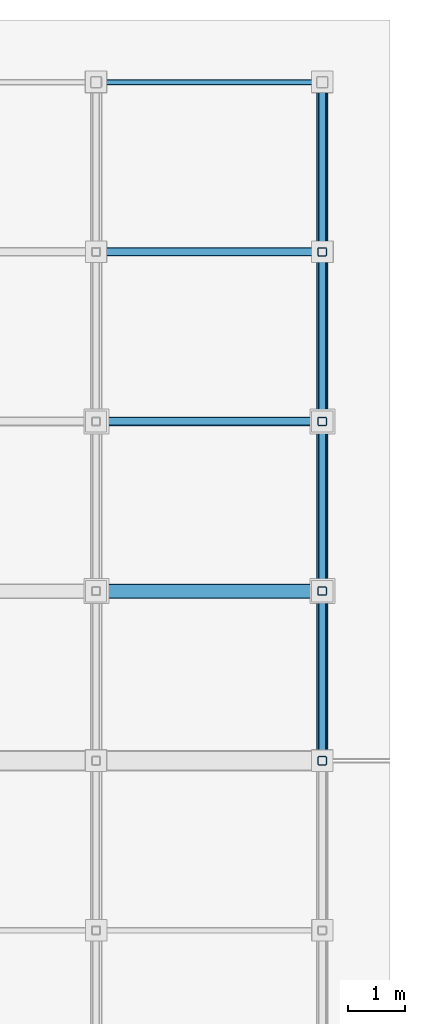
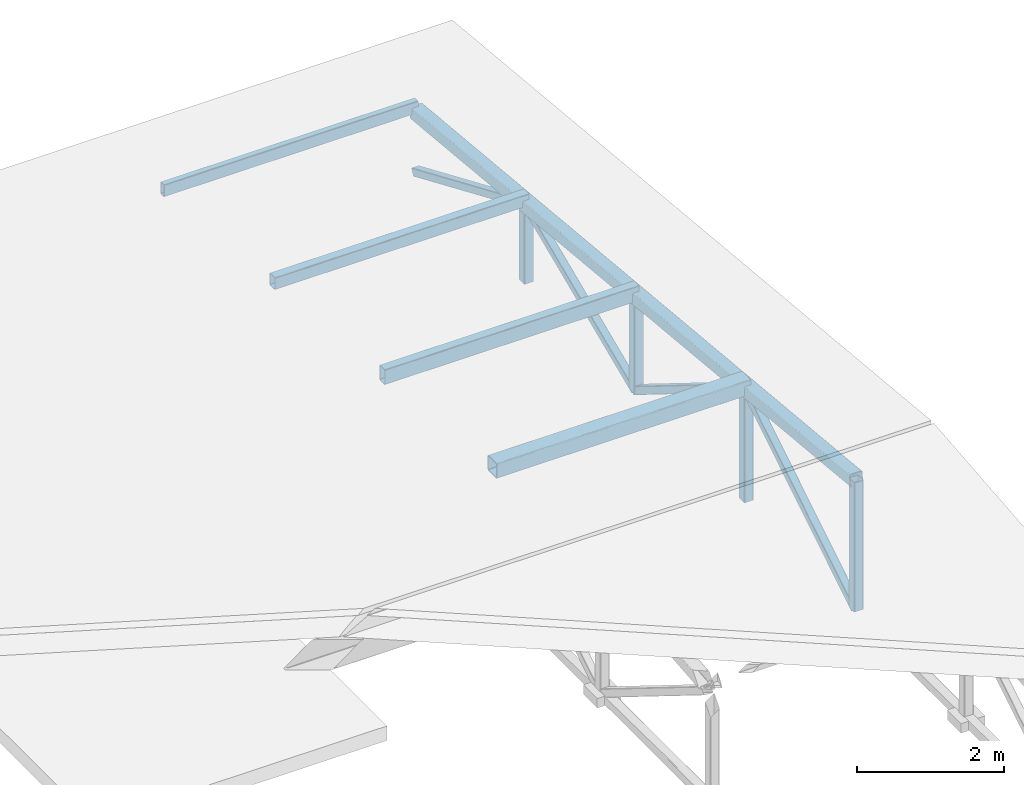
# One storey, part 16 of 25: 12 members, 1 beam.
"""IFC4 building model written with IfcOpenShell, lengths in metres."""

import ifcopenshell
import ifcopenshell.guid

model = None  # the IFC model being written
_history = None  # IfcOwnerHistory: only IFC2X3 demands one
_inside = {}  # id of a spatial element -> (the spatial element, [elements in it])
_under = {}  # id of a project, library or spatial element -> (it, [spatial elements below it])
_declared = {}  # id of a project -> (the project, [libraries it declares])
_typed = {}  # id of a type object -> (the type object, [elements of that type])
_made_of = {}  # id of a material, layer set ... -> (it, [elements and type objects made of it])


def new_model(schema):
    """Start an empty IFC model of exactly this schema.

    Asked for "IFC4X3", IfcOpenShell would pick the latest addendum, in which some entities
    have other attributes; the version numbers below select the first issue.
    IFC2X3 requires an IfcOwnerHistory on every rooted entity: one is made here for all.
    """
    global model, _history
    if schema == "IFC4X3":
        model = ifcopenshell.file(schema_version=(4, 3, 0, 0))
    else:
        model = ifcopenshell.file(schema=schema)
    _inside.clear()
    _under.clear()
    _declared.clear()
    _typed.clear()
    _made_of.clear()
    _history = None
    if model.schema == "IFC2X3":
        org = make("IfcOrganization", Name="unknown")
        user = make(
            "IfcPersonAndOrganization",
            ThePerson=make("IfcPerson", FamilyName="unknown"),
            TheOrganization=org,
        )
        app = make(
            "IfcApplication",
            ApplicationDeveloper=org,
            Version="unknown",
            ApplicationFullName="unknown",
            ApplicationIdentifier="unknown",
        )
        _history = make(
            "IfcOwnerHistory",
            OwningUser=user,
            OwningApplication=app,
            ChangeAction="ADDED",
            CreationDate=0,
        )
    return model


def make(cls, **values):
    """One entity of the class cls with the attributes given. An attribute that is None is left unset."""
    return model.create_entity(
        cls, **{name: value for name, value in values.items() if value is not None}
    )


def rooted(cls, **values):
    """An entity with a GlobalId (a new one), such as an element, a storey or a relation."""
    return make(cls, GlobalId=ifcopenshell.guid.new(), OwnerHistory=_history, **values)


def si_unit(unit_type, name, prefix=None):
    """IfcSIUnit, for example si_unit("LENGTHUNIT", "METRE", prefix="MILLI")."""
    return make("IfcSIUnit", UnitType=unit_type, Prefix=prefix, Name=name)


def assignment(units):
    """IfcUnitAssignment: the units of a project."""
    return None if units is None else make("IfcUnitAssignment", Units=units)


def point(xyz):
    """IfcCartesianPoint."""
    return None if xyz is None else make("IfcCartesianPoint", Coordinates=xyz)


def direction(xyz):
    """IfcDirection."""
    return None if xyz is None else make("IfcDirection", DirectionRatios=xyz)


def frame(location, z_axis=None, x_axis=None):
    """IfcAxis2Placement3D, a coordinate frame: its origin and axes. An axis left out is left unset."""
    return make(
        "IfcAxis2Placement3D",
        Location=point(location),
        Axis=direction(z_axis),
        RefDirection=direction(x_axis),
    )


def frame_2d(location, x_axis=None):
    """IfcAxis2Placement2D, a coordinate frame in the plane: its origin and x axis."""
    return make(
        "IfcAxis2Placement2D", Location=point(location), RefDirection=direction(x_axis)
    )


def origin():
    """The frame at (0, 0, 0) with its axes left unset."""
    return frame((0.0, 0.0, 0.0))


def origin_2d():
    """The frame at (0, 0) in the plane with its x axis left unset."""
    return frame_2d((0.0, 0.0))


def place(relative_to, where):
    """IfcLocalPlacement: puts the frame where relative to a parent placement (None: the world)."""
    return make(
        "IfcLocalPlacement", PlacementRelTo=relative_to, RelativePlacement=where
    )


def context(
    kind, dimensions, precision=None, world=None, true_north=None, identifier=None
):
    """IfcGeometricRepresentationContext, for example the 3D "Model" context."""
    return make(
        "IfcGeometricRepresentationContext",
        ContextIdentifier=identifier,
        ContextType=kind,
        CoordinateSpaceDimension=dimensions,
        Precision=precision,
        WorldCoordinateSystem=world,
        TrueNorth=true_north,
    )


def subcontext(parent, identifier, kind, view, scale=None):
    """IfcGeometricRepresentationSubContext, for example "Body" below "Model"."""
    return make(
        "IfcGeometricRepresentationSubContext",
        ContextIdentifier=identifier,
        ContextType=kind,
        ParentContext=parent,
        TargetScale=scale,
        TargetView=view,
    )


def project(units=None, contexts=None):
    """IfcProject with its units and contexts."""
    return rooted(
        "IfcProject",
        Name="project",
        RepresentationContexts=contexts,
        UnitsInContext=assignment(units),
    )


def spatial(cls, under=None, at=None, **own):
    """A site, building, storey or space (cls), placed at a placement, below another one or the project."""
    s = rooted(cls, ObjectPlacement=at, **own)
    if under is not None:
        _under.setdefault(under.id(), (under, []))[1].append(s)
    return s


def profile(cls, at=None, kind="AREA", **sizes):
    """A parametric profile (cls). Its sizes go by their IFC names, for example OverallWidth=200.0."""
    return make(cls, ProfileType=kind, Position=at, **sizes)


def hollow_rectangle(**sizes):
    """IfcRectangleHollowProfileDef."""
    return profile("IfcRectangleHollowProfileDef", **sizes)


def extrude(swept, where, along, depth):
    """IfcExtrudedAreaSolid: the profile swept, set in the frame where, extruded along a direction by depth."""
    return make(
        "IfcExtrudedAreaSolid",
        SweptArea=swept,
        Position=where,
        ExtrudedDirection=direction(along),
        Depth=depth,
    )


def shape(context_of_items, identifier, shape_type, items):
    """IfcShapeRepresentation: the items that make up one representation, for example the "Body"."""
    return make(
        "IfcShapeRepresentation",
        ContextOfItems=context_of_items,
        RepresentationIdentifier=identifier,
        RepresentationType=shape_type,
        Items=items,
    )


def material(Name=None, Category=None):
    """IfcMaterial."""
    return make("IfcMaterial", Name=Name, Category=Category)


def material_profile(
    of_material, cross_section, Name=None, Category=None, Priority=None
):
    """IfcMaterialProfile: a cross section and its material."""
    return make(
        "IfcMaterialProfile",
        Name=Name,
        Material=of_material,
        Profile=cross_section,
        Priority=Priority,
        Category=Category,
    )


def profile_set(profiles, Name=None, composite=None):
    """IfcMaterialProfileSet."""
    return make(
        "IfcMaterialProfileSet",
        Name=Name,
        MaterialProfiles=profiles,
        CompositeProfile=composite,
    )


def made_of(thing, what):
    """Note that an element or type object is made of a material, layer set ...; save() writes the relation."""
    if what is not None:
        _made_of.setdefault(what.id(), (what, []))[1].append(thing)
    return thing


def type_object(cls, material=None, **own):
    """A type object (cls), such as IfcWallType, which elements share."""
    return made_of(rooted(cls, **own), material)


def element(
    cls,
    number,
    at=None,
    inside=None,
    cuts=None,
    type_object=None,
    material=None,
    context=None,
    identifier="Body",
    shape_type=None,
    held_by="IfcProductDefinitionShape",
    body=None,
    shapes=None,
    **own,
):
    """One element of the class cls, such as IfcWall. Its Tag is "e" and its number.

    at: its placement. inside: the storey or other place that contains it. cuts: it is an
    opening in that element (IfcRelVoidsElement). A single representation is given by context,
    identifier, shape_type and body (its items); several are given by shapes. held_by: the class
    of the entity that holds the representations. save() writes the other relations.
    """
    e = rooted(cls, Tag="e%d" % number, ObjectPlacement=at, **own)
    if body is not None:
        shapes = [shape(context, identifier, shape_type, body)]
    if shapes is not None:
        e.Representation = make(held_by, Representations=shapes)
    if inside is not None:
        _inside.setdefault(inside.id(), (inside, []))[1].append(e)
    if cuts is not None:
        rooted(
            "IfcRelVoidsElement", RelatingBuildingElement=cuts, RelatedOpeningElement=e
        )
    if type_object is not None:
        _typed.setdefault(type_object.id(), (type_object, []))[1].append(e)
    return made_of(e, material)


def aggregate(whole, parts):
    """IfcRelAggregates: a whole, such as a stair, and the parts it consists of."""
    return rooted("IfcRelAggregates", RelatingObject=whole, RelatedObjects=parts)


def save(model, path):
    """Write the relations noted so far, then the file.

    IfcRelAggregates (storeys below a building ...), IfcRelContainedInSpatialStructure (elements
    in a storey), IfcRelDefinesByType, IfcRelAssociatesMaterial and IfcRelDeclares: one each for
    every whole, place, type object, material and project.
    """
    for whole, parts in _under.values():
        aggregate(whole, parts)
    for where, things in _inside.values():
        rooted(
            "IfcRelContainedInSpatialStructure",
            RelatedElements=things,
            RelatingStructure=where,
        )
    for kind, things in _typed.values():
        rooted("IfcRelDefinesByType", RelatedObjects=things, RelatingType=kind)
    for what, things in _made_of.values():
        rooted("IfcRelAssociatesMaterial", RelatedObjects=things, RelatingMaterial=what)
    for by, libraries in _declared.values():
        rooted("IfcRelDeclares", RelatingContext=by, RelatedDefinitions=libraries)
    model.write(path)


model = new_model("IFC4")

# Units and contexts
model_context = context("Model", 3, precision=1e-05, world=origin(), true_north=direction((0.0, 1.0)))
body_context = subcontext(model_context, "Body", "Model", "MODEL_VIEW")
ifc_project = project(units=[si_unit("LENGTHUNIT", "METRE"), si_unit("AREAUNIT", "SQUARE_METRE"), si_unit("VOLUMEUNIT", "CUBIC_METRE"), si_unit("PLANEANGLEUNIT", "RADIAN"), si_unit("MASSUNIT", "GRAM", prefix="KILO"), si_unit("THERMODYNAMICTEMPERATUREUNIT", "KELVIN"), si_unit("POWERUNIT", "WATT")], contexts=[model_context])

# Site, building, storey
site_placement = place(None, origin())
site = spatial("IfcSite", under=ifc_project, at=site_placement, CompositionType="ELEMENT")
building_placement = place(site_placement, origin())
building = spatial("IfcBuilding", under=site, at=building_placement, Name="Zelmaris Science Centre", CompositionType="ELEMENT")
storey_placement = place(building_placement, frame((0.0, 0.0, 30.0)))
storey = spatial("IfcBuildingStorey", under=building, at=storey_placement, Name="RF", CompositionType="ELEMENT", Elevation=30.0)

# Beam
ifc_material = material(Name="Steel ASTM A500 Grade C", Category="steel")
ifc_material_profile_1 = material_profile(ifc_material, hollow_rectangle(XDim=0.203125, YDim=0.203125, WallThickness=0.01171875, InnerFilletRadius=0.01171875, OuterFilletRadius=0.023681640625, at=origin_2d()), Name="HSS203X203X13")
ifc_profile_set_1 = profile_set([ifc_material_profile_1], Name="Steel ASTM A500 Grade C")
beam_type = type_object("IfcBeamType", Name="Beam G-20 HSS203X203X13", PredefinedType="BEAM", material=ifc_profile_set_1)
beam_placement = place(storey_placement, frame((76.0, 76.0, 2.497314453125), z_axis=(0.0, 0.995440145093, -0.095388246325), x_axis=(-1.0, 0.0, 0.0)))
element("IfcBeam", 1, at=beam_placement, inside=storey, type_object=beam_type, Name="RF-V5 Roof truss 4 north top chord", PredefinedType="BEAM", context=body_context, shape_type="SweptSolid", body=[
    extrude(hollow_rectangle(XDim=0.203125, YDim=0.203125, WallThickness=0.01171875, InnerFilletRadius=0.01171875, OuterFilletRadius=0.023681640625, at=origin_2d()), origin(), (0.0, 0.0, 1.0), 12.054931640625),
])

# Members
ifc_material_profile_2 = material_profile(ifc_material, hollow_rectangle(XDim=0.15234375, YDim=0.25390625, WallThickness=0.0087890625, InnerFilletRadius=0.0087890625, OuterFilletRadius=0.017822265625, at=origin_2d()), Name="HSS254X152X10")
ifc_profile_set_2 = profile_set([ifc_material_profile_2], Name="Steel ASTM A500 Grade C")
member_type_1 = type_object("IfcMemberType", Name="Roof Purlin PR-01 HSS254X152X10", PredefinedType="PURLIN", material=ifc_profile_set_2)
member_1_placement = place(storey_placement, frame((72.0, 82.0, 1.991943359375), z_axis=(1.0, 0.0, 0.0), x_axis=(0.0, 1.0, 0.0)))
element("IfcMember", 2, at=member_1_placement, inside=storey, type_object=member_type_1, Name="RF-V5 Roof purlin 25", PredefinedType="PURLIN", context=body_context, shape_type="SweptSolid", body=[
    extrude(hollow_rectangle(XDim=0.15234375, YDim=0.25390625, WallThickness=0.0087890625, InnerFilletRadius=0.0087890625, OuterFilletRadius=0.017822265625, at=origin_2d()), origin(), (0.0, 0.0, 1.0), 4.0),
])
ifc_material_profile_3 = material_profile(ifc_material, hollow_rectangle(XDim=0.15234375, YDim=0.203125, WallThickness=0.0087890625, InnerFilletRadius=0.0087890625, OuterFilletRadius=0.017822265625, at=origin_2d()), Name="HSS203X152X10")
ifc_profile_set_3 = profile_set([ifc_material_profile_3], Name="Steel ASTM A500 Grade C")
member_type_2 = type_object("IfcMemberType", Name="Roof Purlin PR-02 HSS203X152X10", PredefinedType="PURLIN", material=ifc_profile_set_3)
member_2_placement = place(storey_placement, frame((72.0, 85.0, 1.729736328125), z_axis=(1.0, 0.0, 0.0), x_axis=(0.0, 1.0, 0.0)))
element("IfcMember", 3, at=member_2_placement, inside=storey, type_object=member_type_2, Name="RF-V5 Roof purlin 26", PredefinedType="PURLIN", context=body_context, shape_type="SweptSolid", body=[
    extrude(hollow_rectangle(XDim=0.15234375, YDim=0.203125, WallThickness=0.0087890625, InnerFilletRadius=0.0087890625, OuterFilletRadius=0.017822265625, at=origin_2d()), origin(), (0.0, 0.0, 1.0), 4.0),
])
ifc_material_profile_4 = material_profile(ifc_material, hollow_rectangle(XDim=0.1015625, YDim=0.203125, WallThickness=0.00732421875, InnerFilletRadius=0.00732421875, OuterFilletRadius=0.014892578125, at=origin_2d()), Name="HSS203X102X8")
ifc_profile_set_4 = profile_set([ifc_material_profile_4], Name="Steel ASTM A500 Grade C")
member_type_3 = type_object("IfcMemberType", Name="Roof Purlin PR-03 HSS203X102X8", PredefinedType="PURLIN", material=ifc_profile_set_4)
member_3_placement = place(storey_placement, frame((72.0, 88.0, 1.4423828125), z_axis=(1.0, 0.0, 0.0), x_axis=(0.0, 1.0, 0.0)))
element("IfcMember", 4, at=member_3_placement, inside=storey, type_object=member_type_3, Name="RF-V5 Roof purlin 27", PredefinedType="PURLIN", context=body_context, shape_type="SweptSolid", body=[
    extrude(hollow_rectangle(XDim=0.1015625, YDim=0.203125, WallThickness=0.00732421875, InnerFilletRadius=0.00732421875, OuterFilletRadius=0.014892578125, at=origin_2d()), origin(), (0.0, 0.0, 1.0), 4.0),
])
ifc_material_profile_5 = material_profile(ifc_material, hollow_rectangle(XDim=0.25390625, YDim=0.25390625, WallThickness=0.01171875, InnerFilletRadius=0.01171875, OuterFilletRadius=0.023681640625, at=origin_2d()), Name="HSS254X254X13")
ifc_profile_set_5 = profile_set([ifc_material_profile_5], Name="Steel ASTM A500 Grade C")
member_type_4 = type_object("IfcMemberType", Name="Roof Purlin PR-09 HSS254X254X13", PredefinedType="PURLIN", material=ifc_profile_set_5)
member_4_placement = place(storey_placement, frame((72.0, 79.0, 2.279296875), z_axis=(1.0, 0.0, 0.0), x_axis=(0.0, 1.0, 0.0)))
element("IfcMember", 5, at=member_4_placement, inside=storey, type_object=member_type_4, Name="RF-V5 Roof purlin 24", PredefinedType="PURLIN", context=body_context, shape_type="SweptSolid", body=[
    extrude(hollow_rectangle(XDim=0.25390625, YDim=0.25390625, WallThickness=0.01171875, InnerFilletRadius=0.01171875, OuterFilletRadius=0.023681640625, at=origin_2d()), origin(), (0.0, 0.0, 1.0), 4.0),
])
ifc_material_profile_6 = material_profile(ifc_material, hollow_rectangle(XDim=0.15234375, YDim=0.15234375, WallThickness=0.0087890625, InnerFilletRadius=0.0087890625, OuterFilletRadius=0.017822265625, at=origin_2d()), Name="HSS152X152X10")
ifc_profile_set_6 = profile_set([ifc_material_profile_6], Name="Steel ASTM A500 Grade C")
member_type_5 = type_object("IfcMemberType", Name="Structural Brace BR-03 HSS152X152X10", PredefinedType="BRACE", material=ifc_profile_set_6)
member_5_placement = place(storey_placement, frame((76.0, 76.0, 0.347412109375), z_axis=(0.0, 0.0, 1.0), x_axis=(1.0, 0.0, 0.0)))
element("IfcMember", 6, at=member_5_placement, inside=storey, type_object=member_type_5, Name="RF-V5 Roof truss 4 vertical web 4", PredefinedType="BRACE", context=body_context, shape_type="SweptSolid", body=[
    extrude(hollow_rectangle(XDim=0.15234375, YDim=0.15234375, WallThickness=0.0087890625, InnerFilletRadius=0.0087890625, OuterFilletRadius=0.017822265625, at=origin_2d()), origin(), (0.0, 0.0, 1.0), 2.14990234375),
])
member_6_placement = place(storey_placement, frame((76.0, 79.0, 0.347412109375), z_axis=(0.0, 0.0, 1.0), x_axis=(1.0, 0.0, 0.0)))
element("IfcMember", 7, at=member_6_placement, inside=storey, type_object=member_type_5, Name="RF-V5 Roof truss 4 vertical web 5", PredefinedType="BRACE", context=body_context, shape_type="SweptSolid", body=[
    extrude(hollow_rectangle(XDim=0.15234375, YDim=0.15234375, WallThickness=0.0087890625, InnerFilletRadius=0.0087890625, OuterFilletRadius=0.017822265625, at=origin_2d()), origin(), (0.0, 0.0, 1.0), 1.8623046875),
])
member_7_placement = place(storey_placement, frame((76.0, 82.0, 0.347412109375), z_axis=(0.0, 0.0, 1.0), x_axis=(1.0, 0.0, 0.0)))
element("IfcMember", 8, at=member_7_placement, inside=storey, type_object=member_type_5, Name="RF-V5 Roof truss 4 vertical web 6", PredefinedType="BRACE", context=body_context, shape_type="SweptSolid", body=[
    extrude(hollow_rectangle(XDim=0.15234375, YDim=0.15234375, WallThickness=0.0087890625, InnerFilletRadius=0.0087890625, OuterFilletRadius=0.017822265625, at=origin_2d()), origin(), (0.0, 0.0, 1.0), 1.574951171875),
])
member_8_placement = place(storey_placement, frame((76.0, 85.0, 0.347412109375), z_axis=(0.0, 0.0, 1.0), x_axis=(1.0, 0.0, 0.0)))
element("IfcMember", 9, at=member_8_placement, inside=storey, type_object=member_type_5, Name="RF-V5 Roof truss 4 vertical web 7", PredefinedType="BRACE", context=body_context, shape_type="SweptSolid", body=[
    extrude(hollow_rectangle(XDim=0.15234375, YDim=0.15234375, WallThickness=0.0087890625, InnerFilletRadius=0.0087890625, OuterFilletRadius=0.017822265625, at=origin_2d()), origin(), (0.0, 0.0, 1.0), 1.287353515625),
])
ifc_material_profile_7 = material_profile(ifc_material, hollow_rectangle(XDim=0.126953125, YDim=0.126953125, WallThickness=0.00732421875, InnerFilletRadius=0.00732421875, OuterFilletRadius=0.014892578125, at=origin_2d()), Name="HSS127X127X8")
ifc_profile_set_7 = profile_set([ifc_material_profile_7], Name="Steel ASTM A500 Grade C")
member_type_6 = type_object("IfcMemberType", Name="Structural Brace BR-04 HSS127X127X8", PredefinedType="BRACE", material=ifc_profile_set_7)
for number, where, z_axis, x_axis, name in (
    (10, (76.0, 76.0, 0.347412109375), (0.0, 0.84961025299, 0.52741105223), (-1.0, 0.0, 0.0), "RF-V5 Roof truss 4 web diagonal 5"),
    (11, (76.0, 79.0, 2.209716796875), (0.0, 0.84961025299, -0.52741105223), (-1.0, 0.0, 0.0), "RF-V5 Roof truss 4 web diagonal 6"),
):
    element("IfcMember", number, at=place(storey_placement, frame(where, z_axis=z_axis, x_axis=x_axis)), inside=storey, type_object=member_type_6, Name=name, PredefinedType="BRACE", context=body_context, shape_type="SweptSolid", body=[
        extrude(hollow_rectangle(XDim=0.126953125, YDim=0.126953125, WallThickness=0.00732421875, InnerFilletRadius=0.00732421875, OuterFilletRadius=0.014892578125, at=origin_2d()), origin(), (0.0, 0.0, 1.0), 3.531005859375),
    ])
for number, where, z_axis, x_axis, name in (
    (12, (76.0, 82.0, 0.347412109375), (0.0, 0.918963126212, 0.39434347042), (-1.0, 0.0, 0.0), "RF-V5 Roof truss 4 web diagonal 7"),
    (13, (76.0, 85.0, 1.634765625), (0.0, 0.918963126212, -0.39434347042), (-1.0, 0.0, 0.0), "RF-V5 Roof truss 4 web diagonal 8"),
):
    element("IfcMember", number, at=place(storey_placement, frame(where, z_axis=z_axis, x_axis=x_axis)), inside=storey, type_object=member_type_6, Name=name, PredefinedType="BRACE", context=body_context, shape_type="SweptSolid", body=[
        extrude(hollow_rectangle(XDim=0.126953125, YDim=0.126953125, WallThickness=0.00732421875, InnerFilletRadius=0.00732421875, OuterFilletRadius=0.014892578125, at=origin_2d()), origin(), (0.0, 0.0, 1.0), 3.2646484375),
    ])

save(model, "model.ifc")
